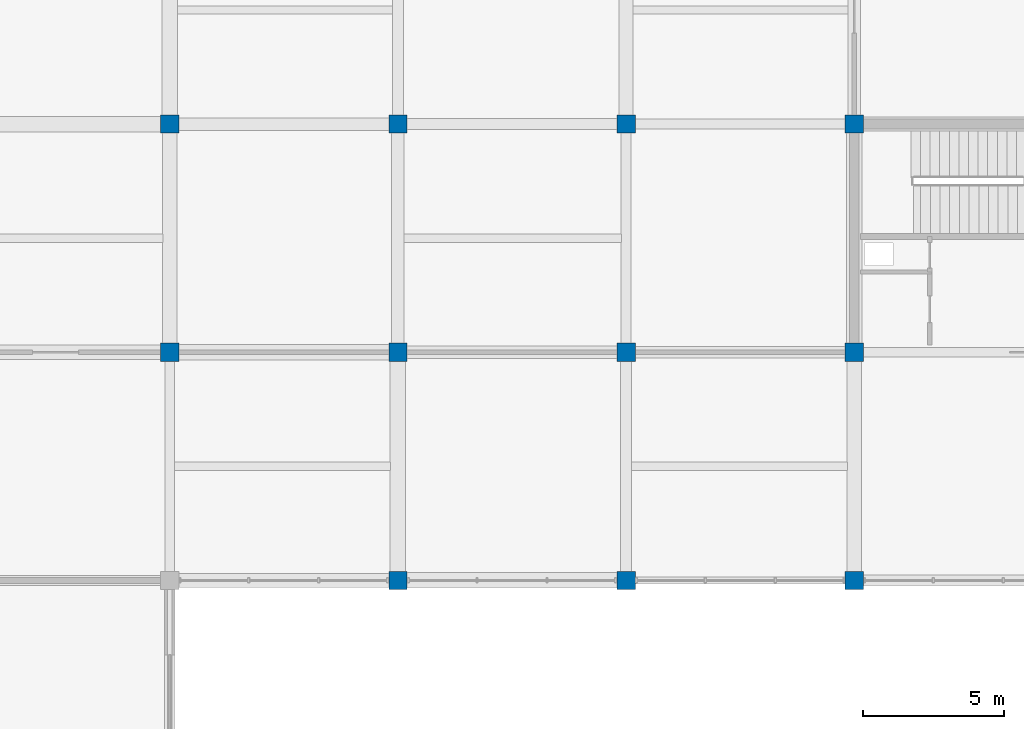
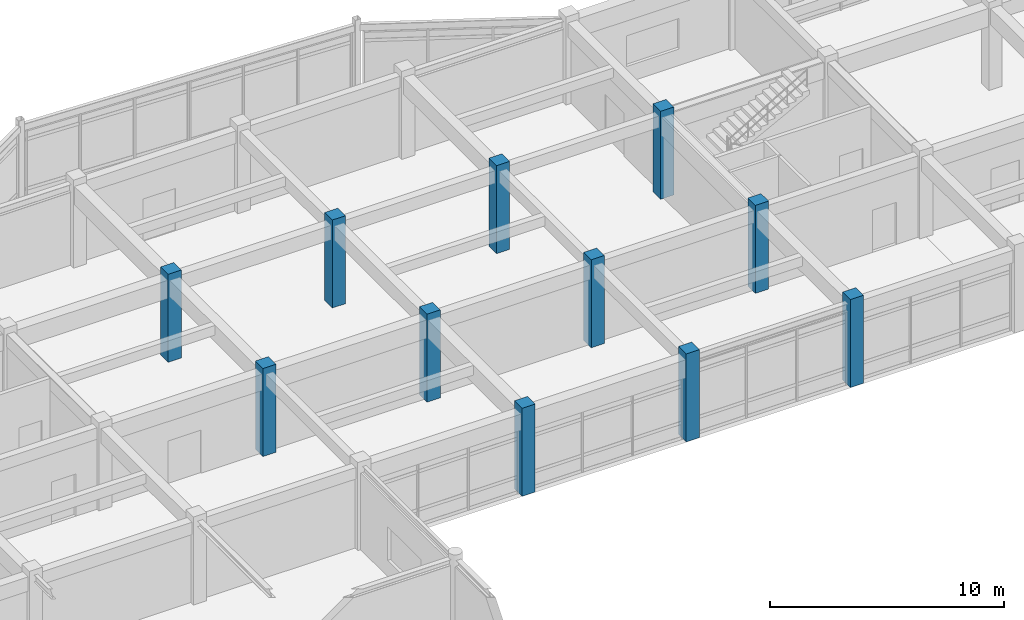
# One storey, part 6 of 93: 11 columns.
"""IFC4 building model written with IfcOpenShell, lengths in metres."""

from ifc_helpers import new_model, si_unit, direction, frame, origin, origin_2d, place, context, subcontext, project, spatial, rectangle, extrude, material, material_profile, profile_set, type_object, element, save


model = new_model("IFC4")

# Units and contexts
model_context = context("Model", 3, precision=1e-05, world=origin(), true_north=direction((0.0, 1.0)))
body_context = subcontext(model_context, "Body", "Model", "MODEL_VIEW")
ifc_project = project(units=[si_unit("LENGTHUNIT", "METRE"), si_unit("AREAUNIT", "SQUARE_METRE"), si_unit("VOLUMEUNIT", "CUBIC_METRE"), si_unit("PLANEANGLEUNIT", "RADIAN"), si_unit("MASSUNIT", "GRAM", prefix="KILO")], contexts=[model_context])

# Site, building, storey
site_placement = place(None, origin())
site = spatial("IfcSite", under=ifc_project, at=site_placement, CompositionType="ELEMENT")
building_placement = place(site_placement, origin())
building = spatial("IfcBuilding", under=site, at=building_placement, Name="Vaudrelin Polytechnic", CompositionType="ELEMENT")
storey_placement = place(building_placement, frame((0.0, 0.0, 5.10009765625)))
storey = spatial("IfcBuildingStorey", under=building, at=storey_placement, Name="L01", CompositionType="ELEMENT", Elevation=5.10009765625)

# Columns
ifc_material = material(Name="Concrete 40 MPa", Category="concrete")
ifc_material_profile = material_profile(ifc_material, rectangle(XDim=0.64990234375, YDim=0.64990234375, at=origin_2d()), Name="RC650x650")
ifc_profile_set = profile_set([ifc_material_profile], Name="Concrete 40 MPa")
column_type = type_object("IfcColumnType", Name="COL-C-RC650", PredefinedType="COLUMN", material=ifc_profile_set)
for number, where, z_axis, x_axis, name in (
    (1, (32.39990234375, 105.300048828125, 0.0), (0.0, 0.0, 1.0), (1.0, 0.0, 0.0), "Column L01 5-14"),
    (2, (32.39990234375, 113.39990234375, 0.0), (0.0, 0.0, 1.0), (1.0, 0.0, 0.0), "Column L01 5-15"),
    (3, (40.5, 97.199951171875, 0.0), (0.0, 0.0, 1.0), (1.0, 0.0, 0.0), "Column L01 6-13"),
    (4, (40.5, 105.300048828125, 0.0), (0.0, 0.0, 1.0), (1.0, 0.0, 0.0), "Column L01 6-14"),
    (5, (40.5, 113.39990234375, 0.0), (0.0, 0.0, 1.0), (1.0, 0.0, 0.0), "Column L01 6-15"),
    (6, (48.60009765625, 97.199951171875, 0.0), (0.0, 0.0, 1.0), (1.0, 0.0, 0.0), "Column L01 7-13"),
    (7, (48.60009765625, 105.300048828125, 0.0), (0.0, 0.0, 1.0), (1.0, 0.0, 0.0), "Column L01 7-14"),
    (8, (48.60009765625, 113.39990234375, 0.0), (0.0, 0.0, 1.0), (1.0, 0.0, 0.0), "Column L01 7-15"),
    (9, (56.699951171875, 97.199951171875, 0.0), (0.0, 0.0, 1.0), (1.0, 0.0, 0.0), "Column L01 8-13"),
    (10, (56.699951171875, 105.300048828125, 0.0), (0.0, 0.0, 1.0), (1.0, 0.0, 0.0), "Column L01 8-14"),
    (11, (56.699951171875, 113.39990234375, 0.0), (0.0, 0.0, 1.0), (1.0, 0.0, 0.0), "Column L01 8-15"),
):
    element("IfcColumn", number, at=place(storey_placement, frame(where, z_axis=z_axis, x_axis=x_axis)), inside=storey, type_object=column_type, Name=name, PredefinedType="COLUMN", context=body_context, shape_type="SweptSolid", body=[
        extrude(rectangle(XDim=0.64990234375, YDim=0.64990234375, at=origin_2d()), origin(), (0.0, 0.0, 1.0), 4.58984375),
    ])

save(model, "model.ifc")
